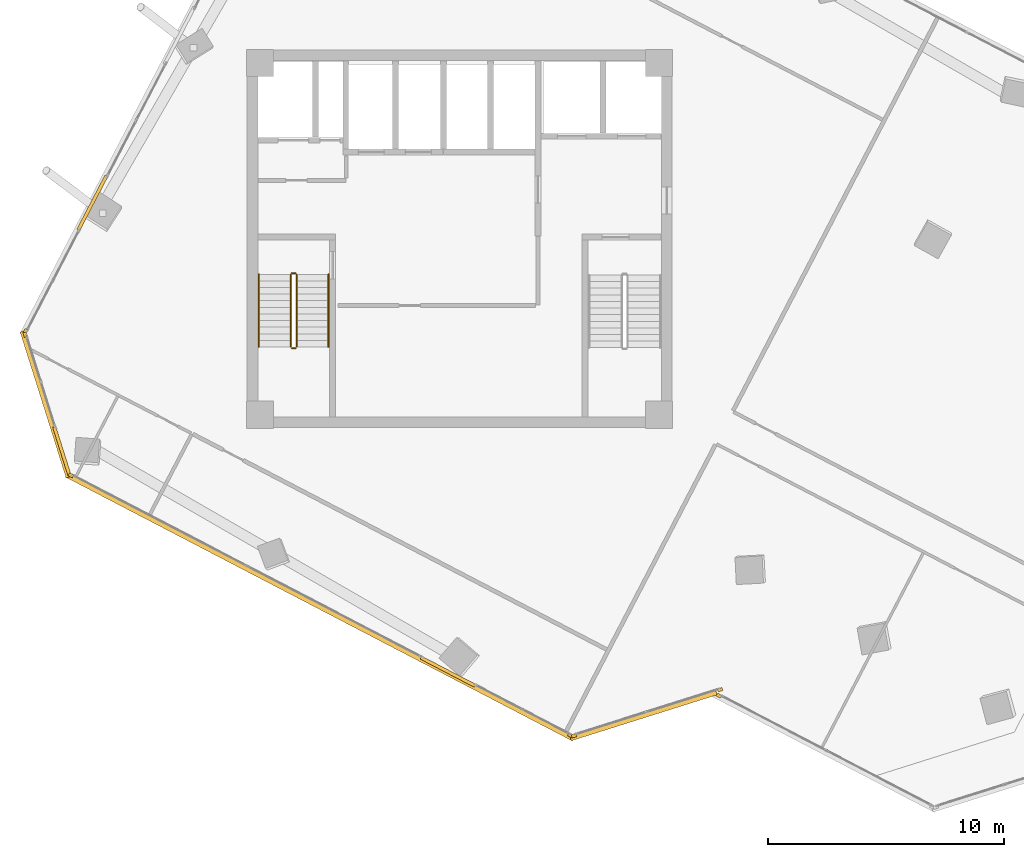
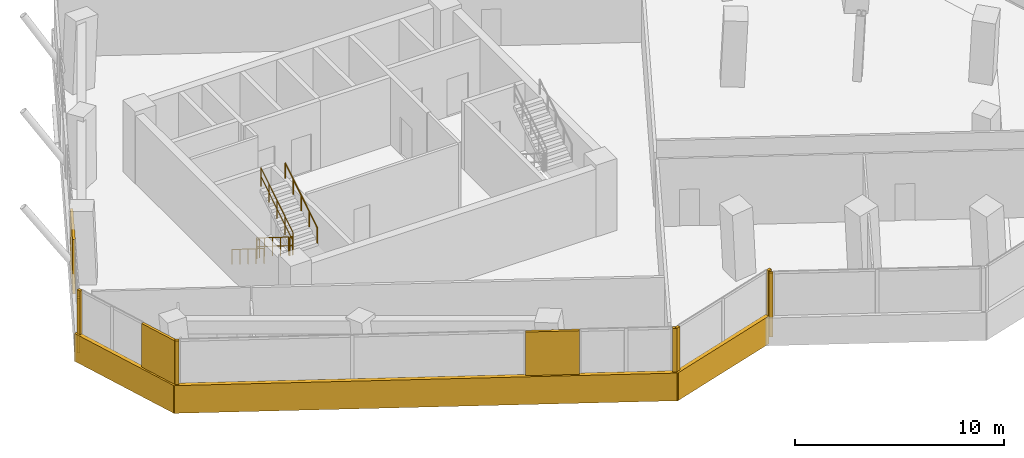
# One storey, part 19 of 22: 13 coverings, 6 railings.
"""IFC4 building model written with IfcOpenShell, lengths in metres."""

from ifc_helpers import new_model, si_unit, direction, frame, origin, origin_2d, place, context, subcontext, project, spatial, rectangle, circle, extrude, source, transform, mapped, material, layer, layer_set, type_object, element, save


model = new_model("IFC4")

# Units and contexts
model_context = context("Model", 3, precision=1e-05, world=origin(), true_north=direction((0.0, 1.0)))
body_context = subcontext(model_context, "Body", "Model", "MODEL_VIEW")
ifc_project = project(units=[si_unit("LENGTHUNIT", "METRE"), si_unit("AREAUNIT", "SQUARE_METRE"), si_unit("VOLUMEUNIT", "CUBIC_METRE"), si_unit("PLANEANGLEUNIT", "RADIAN"), si_unit("MASSUNIT", "GRAM", prefix="KILO")], contexts=[model_context])

# Site, building, storey
site_placement = place(None, origin())
site = spatial("IfcSite", under=ifc_project, at=site_placement, CompositionType="ELEMENT")
building_placement = place(site_placement, origin())
building = spatial("IfcBuilding", under=site, at=building_placement, Name="Torre Montelarca", CompositionType="ELEMENT")
storey_placement = place(building_placement, frame((0.0, 0.0, 175.0)))
storey = spatial("IfcBuildingStorey", under=building, at=storey_placement, Name="L39", CompositionType="ELEMENT", Elevation=175.0)

# Railings
ifc_material_1 = material(Name="Powder-coated steel ASTM A500 Grade C", Category="steel")
railing_type_1 = type_object("IfcRailingType", Name="RL-GUARD-1100", PredefinedType="BALUSTRADE", material=ifc_material_1)
railing_1_placement = place(storey_placement, frame((10.85009765625, 30.5, 0.175048828125)))
element("IfcRailing", 1, at=railing_1_placement, inside=storey, type_object=railing_type_1, Name="L39 ST1 stair guard 1", PredefinedType="BALUSTRADE", context=body_context, shape_type="SweptSolid", body=[
    extrude(circle(Radius=0.02392578125, at=origin_2d()), frame((0.0, 0.0, 1.076171875), z_axis=(0.0, -0.847998304005, 0.529998940003), x_axis=(1.0, 0.0, 0.0)), (0.0, 0.0, 1.0), 3.632080078125),
    extrude(circle(Radius=0.02099609375, at=origin_2d()), frame((0.0, 0.0, 0.572021484375), z_axis=(0.0, -0.847998304005, 0.529998940003), x_axis=(1.0, 0.0, 0.0)), (0.0, 0.0, 1.0), 3.632080078125),
    extrude(circle(Radius=0.02099609375, at=origin_2d()), origin(), (0.0, 0.0, 1.0), 1.052001953125),
    extrude(circle(Radius=0.02099609375, at=origin_2d()), frame((0.0, -0.77001953125, 0.481201171875)), (0.0, 0.0, 1.0), 1.052001953125),
    extrude(circle(Radius=0.02099609375, at=origin_2d()), frame((0.0, -1.5400390625, 0.96240234375)), (0.0, 0.0, 1.0), 1.052001953125),
    extrude(circle(Radius=0.02099609375, at=origin_2d()), frame((0.0, -2.31005859375, 1.44384765625)), (0.0, 0.0, 1.0), 1.052001953125),
    extrude(circle(Radius=0.02099609375, at=origin_2d()), frame((0.0, -3.080078125, 1.925048828125)), (0.0, 0.0, 1.0), 1.052001953125),
])
railing_2_placement = place(storey_placement, frame((10.89990234375, 27.3701171875, 2.10009765625)))
element("IfcRailing", 2, at=railing_2_placement, inside=storey, type_object=railing_type_1, Name="L39 ST1 stair guard 2", PredefinedType="BALUSTRADE", context=body_context, shape_type="SweptSolid", body=[
    extrude(circle(Radius=0.02392578125, at=origin_2d()), frame((0.0, 0.0, 1.076171875), z_axis=(1.0, 0.0, 0.0), x_axis=(0.0, 1.0, 0.0)), (0.0, 0.0, 1.0), 0.150146484375),
    extrude(circle(Radius=0.02099609375, at=origin_2d()), frame((0.0, 0.0, 0.572021484375), z_axis=(1.0, 0.0, 0.0), x_axis=(0.0, 1.0, 0.0)), (0.0, 0.0, 1.0), 0.150146484375),
    extrude(circle(Radius=0.02099609375, at=origin_2d()), origin(), (0.0, 0.0, 1.0), 1.052001953125),
    extrude(circle(Radius=0.02099609375, at=origin_2d()), frame((0.150146484375, 0.0, 0.0)), (0.0, 0.0, 1.0), 1.052001953125),
])
railing_3_placement = place(storey_placement, frame((11.10009765625, 27.419921875, 2.27490234375)))
element("IfcRailing", 3, at=railing_3_placement, inside=storey, type_object=railing_type_1, Name="L39 ST1 stair guard 3", PredefinedType="BALUSTRADE", context=body_context, shape_type="SweptSolid", body=[
    extrude(circle(Radius=0.02392578125, at=origin_2d()), frame((0.0, 0.0, 1.076171875), z_axis=(0.0, 0.847998304005, 0.529998940003), x_axis=(-1.0, 0.0, 0.0)), (0.0, 0.0, 1.0), 3.632080078125),
    extrude(circle(Radius=0.02099609375, at=origin_2d()), frame((0.0, 0.0, 0.572021484375), z_axis=(0.0, 0.847998304005, 0.529998940003), x_axis=(-1.0, 0.0, 0.0)), (0.0, 0.0, 1.0), 3.632080078125),
    extrude(circle(Radius=0.02099609375, at=origin_2d()), origin(), (0.0, 0.0, 1.0), 1.052001953125),
    extrude(circle(Radius=0.02099609375, at=origin_2d()), frame((0.0, 0.77001953125, 0.481201171875)), (0.0, 0.0, 1.0), 1.052001953125),
    extrude(circle(Radius=0.02099609375, at=origin_2d()), frame((0.0, 1.5400390625, 0.96240234375)), (0.0, 0.0, 1.0), 1.052001953125),
    extrude(circle(Radius=0.02099609375, at=origin_2d()), frame((0.0, 2.31005859375, 1.44384765625)), (0.0, 0.0, 1.0), 1.052001953125),
    extrude(circle(Radius=0.02099609375, at=origin_2d()), frame((0.0, 3.080078125, 1.925048828125)), (0.0, 0.0, 1.0), 1.052001953125),
])
railing_4_placement = place(storey_placement, frame((10.89990234375, 30.550048828125, 0.0)))
element("IfcRailing", 4, at=railing_4_placement, inside=storey, type_object=railing_type_1, Name="L39 ST1 stair guard 4", PredefinedType="BALUSTRADE", context=body_context, shape_type="SweptSolid", body=[
    extrude(circle(Radius=0.02392578125, at=origin_2d()), frame((0.0, 0.0, 1.076171875), z_axis=(1.0, 0.0, 0.0), x_axis=(0.0, 1.0, 0.0)), (0.0, 0.0, 1.0), 0.150146484375),
    extrude(circle(Radius=0.02099609375, at=origin_2d()), frame((0.0, 0.0, 0.572021484375), z_axis=(1.0, 0.0, 0.0), x_axis=(0.0, 1.0, 0.0)), (0.0, 0.0, 1.0), 0.150146484375),
    extrude(circle(Radius=0.02099609375, at=origin_2d()), origin(), (0.0, 0.0, 1.0), 1.052001953125),
    extrude(circle(Radius=0.02099609375, at=origin_2d()), frame((0.150146484375, 0.0, 0.0)), (0.0, 0.0, 1.0), 1.052001953125),
])
ifc_material_2 = material(Name="Brushed stainless steel AISI 316", Category="steel")
railing_type_2 = type_object("IfcRailingType", Name="RL-HANDRAIL-900", PredefinedType="HANDRAIL", material=ifc_material_2)
railing_5_placement = place(storey_placement, frame((9.5, 30.5, 0.175048828125)))
element("IfcRailing", 5, at=railing_5_placement, inside=storey, type_object=railing_type_2, Name="L39 ST1 stair handrail 1", PredefinedType="HANDRAIL", context=body_context, shape_type="SweptSolid", body=[
    extrude(circle(Radius=0.02392578125, at=origin_2d()), frame((0.0, 0.0, 0.8759765625), z_axis=(0.0, -0.847998304005, 0.529998940003), x_axis=(1.0, 0.0, 0.0)), (0.0, 0.0, 1.0), 3.632080078125),
    extrude(circle(Radius=0.02099609375, at=origin_2d()), origin(), (0.0, 0.0, 1.0), 0.851806640625),
    extrude(circle(Radius=0.02099609375, at=origin_2d()), frame((0.0, -0.77001953125, 0.481201171875)), (0.0, 0.0, 1.0), 0.851806640625),
    extrude(circle(Radius=0.02099609375, at=origin_2d()), frame((0.0, -1.5400390625, 0.96240234375)), (0.0, 0.0, 1.0), 0.851806640625),
    extrude(circle(Radius=0.02099609375, at=origin_2d()), frame((0.0, -2.31005859375, 1.44384765625)), (0.0, 0.0, 1.0), 0.851806640625),
    extrude(circle(Radius=0.02099609375, at=origin_2d()), frame((0.0, -3.080078125, 1.925048828125)), (0.0, 0.0, 1.0), 0.851806640625),
])
railing_6_placement = place(storey_placement, frame((12.449951171875, 27.419921875, 2.27490234375)))
element("IfcRailing", 6, at=railing_6_placement, inside=storey, type_object=railing_type_2, Name="L39 ST1 stair handrail 2", PredefinedType="HANDRAIL", context=body_context, shape_type="SweptSolid", body=[
    extrude(circle(Radius=0.02392578125, at=origin_2d()), frame((0.0, 0.0, 0.8759765625), z_axis=(0.0, 0.847998304005, 0.529998940003), x_axis=(-1.0, 0.0, 0.0)), (0.0, 0.0, 1.0), 3.632080078125),
    extrude(circle(Radius=0.02099609375, at=origin_2d()), origin(), (0.0, 0.0, 1.0), 0.851806640625),
    extrude(circle(Radius=0.02099609375, at=origin_2d()), frame((0.0, 0.77001953125, 0.481201171875)), (0.0, 0.0, 1.0), 0.851806640625),
    extrude(circle(Radius=0.02099609375, at=origin_2d()), frame((0.0, 1.5400390625, 0.96240234375)), (0.0, 0.0, 1.0), 0.851806640625),
    extrude(circle(Radius=0.02099609375, at=origin_2d()), frame((0.0, 2.31005859375, 1.44384765625)), (0.0, 0.0, 1.0), 0.851806640625),
    extrude(circle(Radius=0.02099609375, at=origin_2d()), frame((0.0, 3.080078125, 1.925048828125)), (0.0, 0.0, 1.0), 0.851806640625),
])

# Coverings
ifc_material_3 = material(Name="Bush-hammered warm white precast concrete C45/55", Category="concrete")
ifc_layer = layer(ifc_material_3, 0.139892578125, Name="Bush-hammered warm white precast concrete C45/55", Category="concrete")
ifc_layer_set = layer_set([ifc_layer], Name="Bush-hammered warm white precast concrete C45/55")
covering_type = type_object("IfcCoveringType", Name="COV-TRAY-CLAD", PredefinedType="CLADDING", material=ifc_layer_set)
shared_shape_1 = source(origin(), body_context, "Body", "SweptSolid", [
    extrude(rectangle(XDim=6.48388671875, YDim=0.219970703125, at=origin_2d()), origin(), (0.0, 0.0, 1.0), 1.6201171875),
])
for number, where, z_axis, x_axis, name in (
    (7, (25.790283203125, 11.808837890625, -0.449951171875), (0.0, 0.0, 1.0), (0.953715901081, 0.300709128603, 0.0), "L39 Architectural White Spandrel Tray Band TRYBOT-02"),
    (8, (0.45947265625, 24.9951171875, -0.449951171875), (0.0, 0.0, 1.0), (0.300695812187, -0.95372009968, 0.0), "L39 Architectural White Spandrel Tray Band TRYBOT-11"),
):
    element("IfcCovering", number, at=place(storey_placement, frame(where, z_axis=z_axis, x_axis=x_axis)), inside=storey, type_object=covering_type, Name=name, PredefinedType="CLADDING", context=body_context, shape_type="MappedRepresentation", body=[
        mapped(shared_shape_1, transform((0.0, 0.0, 0.0), scale=1.0)),
    ])
shared_shape_2 = source(origin(), body_context, "Body", "SweptSolid", [
    extrude(rectangle(XDim=0.199951171875, YDim=0.139892578125, at=origin_2d()), origin(), (0.0, 0.0, 1.0), 3.719970703125),
])
for number, where, z_axis, x_axis, name in (
    (9, (1.531982421875, 21.977783203125, 0.0), (0.0, 0.0, 1.0), (0.887010833178, -0.461748613235, 0.0), "L39 Architectural Column Pier Cladding E01-1"),
    (10, (22.70361328125, 10.95654296875, 0.0), (0.0, 0.0, 1.0), (0.887010833178, -0.461748613235, 0.0), "L39 Architectural Column Pier Cladding E01-3"),
    (11, (22.847900390625, 10.944091796875, 0.0), (0.0, 0.0, 1.0), (0.953715901081, 0.300709128603, 0.0), "L39 Architectural Column Pier Cladding E02-1"),
    (12, (29.047119140625, 12.898681640625, 0.0), (0.0, 0.0, 1.0), (0.953715901081, 0.300709128603, 0.0), "L39 Architectural Column Pier Cladding E02-2"),
    (13, (28.999755859375, 12.639404296875, 0.0), (0.0, 0.0, 1.0), (0.88701163908, -0.461747065108, 0.0), "L39 Architectural Column Pier Cladding E04-1"),
    (14, (-0.4052734375, 27.9375, 0.0), (0.0, 0.0, 1.0), (0.300690818516, -0.953721674106, 0.0), "L39 Architectural Column Pier Cladding E11-1"),
):
    element("IfcCovering", number, at=place(storey_placement, frame(where, z_axis=z_axis, x_axis=x_axis)), inside=storey, type_object=covering_type, Name=name, PredefinedType="CLADDING", context=body_context, shape_type="MappedRepresentation", body=[
        mapped(shared_shape_2, transform((0.0, 0.0, 0.0), scale=1.0)),
    ])
shared_shape_3 = source(origin(), body_context, "Body", "SweptSolid", [
    extrude(rectangle(XDim=0.199951171875, YDim=0.139892578125, at=origin_2d()), origin(), (0.0, 0.0, 1.0), 3.175048828125),
])
covering_1_placement = place(storey_placement, frame((-0.392578125, 28.08203125, 0.0), z_axis=(0.0, 0.0, 1.0), x_axis=(-0.46174551698, -0.88701244498, 0.0)))
element("IfcCovering", 15, at=covering_1_placement, inside=storey, type_object=covering_type, Name="L39 Architectural Column Pier Cladding E10-5", PredefinedType="CLADDING", context=body_context, shape_type="MappedRepresentation", body=[
    mapped(shared_shape_3, transform((0.0, 0.0, 0.0), scale=1.0)),
])
shared_shape_4 = source(origin(), body_context, "Body", "SweptSolid", [
    extrude(rectangle(XDim=24.22021484375, YDim=0.219970703125, at=origin_2d()), origin(), (0.0, 0.0, 1.0), 1.6201171875),
])
covering_2_placement = place(storey_placement, frame((12.090087890625, 16.4140625, -0.449951171875), z_axis=(0.0, 0.0, 1.0), x_axis=(0.887010027274, -0.46175016136, 0.0)))
element("IfcCovering", 16, at=covering_2_placement, inside=storey, type_object=covering_type, Name="L39 Architectural White Spandrel Tray Band TRYBOT-01", PredefinedType="CLADDING", context=body_context, shape_type="MappedRepresentation", body=[
    mapped(shared_shape_4, transform((0.0, 0.0, 0.0), scale=1.0)),
])
shared_shape_5 = source(origin(), body_context, "Body", "SweptSolid", [
    extrude(rectangle(XDim=2.589111328125, YDim=0.139892578125, at=origin_2d()), origin(), (0.0, 0.0, 1.0), 3.719970703125),
])
covering_3_placement = place(storey_placement, frame((17.51416015625, 13.657958984375, 0.0), z_axis=(0.0, 0.0, 1.0), x_axis=(0.887010833178, -0.461748613235, 0.0)))
element("IfcCovering", 17, at=covering_3_placement, inside=storey, type_object=covering_type, Name="L39 Architectural Column Pier Cladding E01-2", PredefinedType="CLADDING", context=body_context, shape_type="MappedRepresentation", body=[
    mapped(shared_shape_5, transform((0.0, 0.0, 0.0), scale=1.0)),
])
shared_shape_6 = source(origin(), body_context, "Body", "SweptSolid", [
    extrude(rectangle(XDim=2.583251953125, YDim=0.139892578125, at=origin_2d()), origin(), (0.0, 0.0, 1.0), 3.175048828125),
])
covering_4_placement = place(storey_placement, frame((2.4423828125, 33.528564453125, 0.0), z_axis=(0.0, 0.0, 1.0), x_axis=(-0.46174551698, -0.88701244498, 0.0)))
element("IfcCovering", 18, at=covering_4_placement, inside=storey, type_object=covering_type, Name="L39 Architectural Column Pier Cladding E10-4", PredefinedType="CLADDING", context=body_context, shape_type="MappedRepresentation", body=[
    mapped(shared_shape_6, transform((0.0, 0.0, 0.0), scale=1.0)),
])
shared_shape_7 = source(origin(), body_context, "Body", "SweptSolid", [
    extrude(rectangle(XDim=2.1455078125, YDim=0.139892578125, at=origin_2d()), origin(), (0.0, 0.0, 1.0), 3.719970703125),
])
covering_5_placement = place(storey_placement, frame((1.14599609375, 23.0166015625, 0.0), z_axis=(0.0, 0.0, 1.0), x_axis=(0.300690818516, -0.953721674106, 0.0)))
element("IfcCovering", 19, at=covering_5_placement, inside=storey, type_object=covering_type, Name="L39 Architectural Column Pier Cladding E11-2", PredefinedType="CLADDING", context=body_context, shape_type="MappedRepresentation", body=[
    mapped(shared_shape_7, transform((0.0, 0.0, 0.0), scale=1.0)),
])

save(model, "model.ifc")
